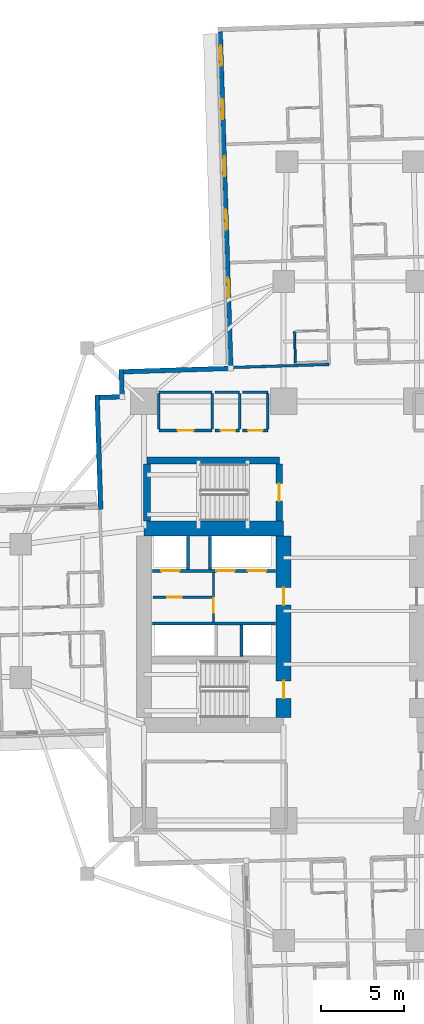
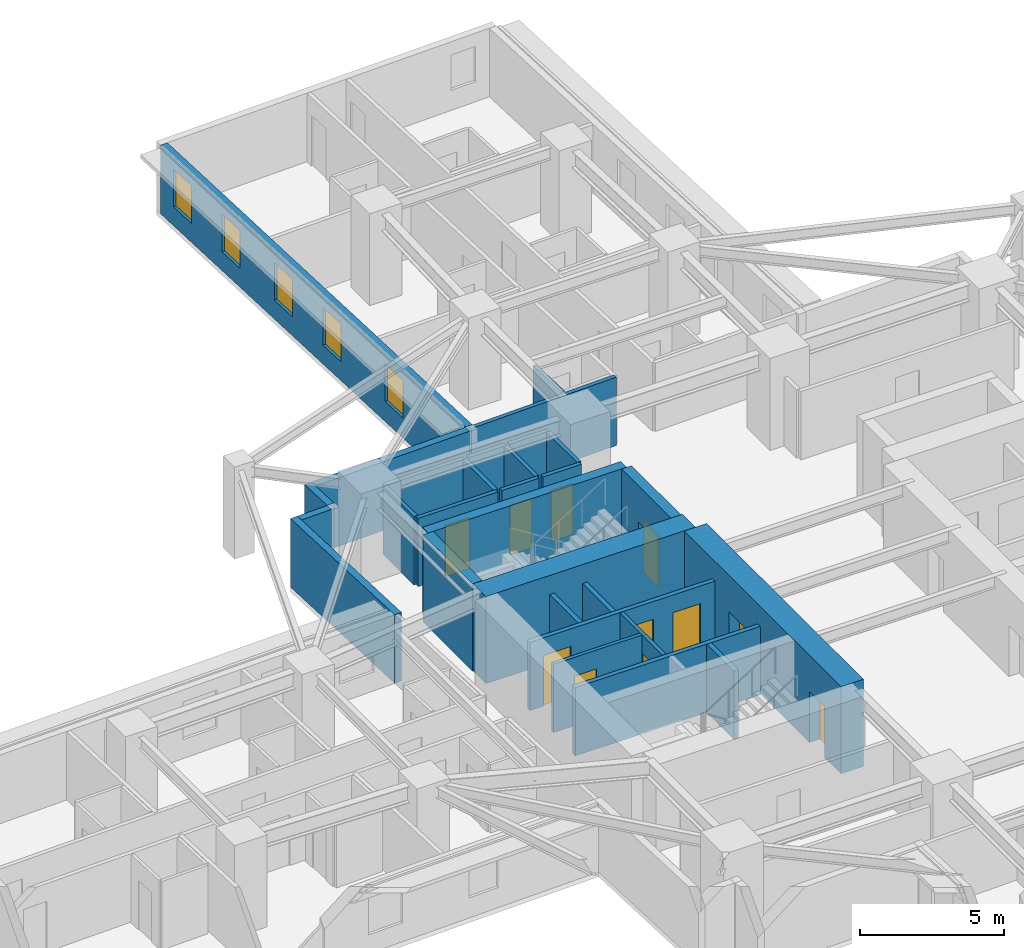
# One storey, part 6 of 15: 29 walls, 11 doors, 5 windows, 16 openings.
"""IFC4 building model written with IfcOpenShell, lengths in metres."""

from ifc_helpers import new_model, si_unit, direction, frame, frame_2d, origin, place, context, subcontext, project, spatial, rectangle, extrude, material, layer, layer_set, type_object, element, fill, save


model = new_model("IFC4")

# Units and contexts
model_context = context("Model", 3, precision=1e-05, world=origin(), true_north=direction((0.0, 1.0)))
body_context = subcontext(model_context, "Body", "Model", "MODEL_VIEW")
ifc_project = project(units=[si_unit("LENGTHUNIT", "METRE"), si_unit("AREAUNIT", "SQUARE_METRE"), si_unit("VOLUMEUNIT", "CUBIC_METRE"), si_unit("PLANEANGLEUNIT", "RADIAN"), si_unit("MASSUNIT", "GRAM", prefix="KILO")], contexts=[model_context])

# Site, building, storey
site_placement = place(None, origin())
site = spatial("IfcSite", under=ifc_project, at=site_placement, CompositionType="ELEMENT")
building_placement = place(site_placement, origin())
building = spatial("IfcBuilding", under=site, at=building_placement, Name="Qingluan Cross Belvedere", CompositionType="ELEMENT")
storey_placement = place(building_placement, frame((0.0, 0.0, 31.5)))
storey = spatial("IfcBuildingStorey", under=building, at=storey_placement, Name="L08", CompositionType="ELEMENT", Elevation=31.5)

# Walls
ifc_material_1 = material(Name="Concrete C50", Category="concrete")
ifc_layer_1 = layer(ifc_material_1, 0.449951171875, Name="CoreShearWall_450")
ifc_layer_set_1 = layer_set([ifc_layer_1], Name="Concrete C50")
wall_type_1 = type_object("IfcWallType", Name="CoreShearWall_450", PredefinedType="SHEAR", material=ifc_layer_set_1)
wall_1_placement = place(storey_placement, frame((-12.219970703125, 9.0400390625, 0.0), z_axis=(0.0, 0.0, 1.0), x_axis=(1.0, 0.0, 0.0)))
element("IfcWall", 1, at=wall_1_placement, inside=storey, type_object=wall_type_1, Name="Stair ST3 structural wall N L08", PredefinedType="SHEAR", context=body_context, shape_type="SweptSolid", body=[
    extrude(rectangle(XDim=7.9599609375, YDim=0.39990234375, at=frame_2d((3.97998046875, 0.0))), origin(), (0.0, 0.0, 1.0), 3.699951171875),
])
wall_2_placement = place(storey_placement, frame((-12.219970703125, 5.405029296875, 0.0), z_axis=(0.0, 0.0, 1.0), x_axis=(0.0, 1.0, 0.0)))
element("IfcWall", 2, at=wall_2_placement, inside=storey, type_object=wall_type_1, Name="Stair ST3 structural wall W L08", PredefinedType="SHEAR", context=body_context, shape_type="SweptSolid", body=[
    extrude(rectangle(XDim=3.429931640625, YDim=0.39990234375, at=frame_2d((1.71484375, 0.0))), origin(), (0.0, 0.0, 1.0), 3.699951171875),
])

# Wall, opening, door
wall_3_placement = place(storey_placement, frame((-4.260009765625, 5.405029296875, 0.0), z_axis=(0.0, 0.0, 1.0), x_axis=(0.0, 1.0, 0.0)))
wall_3 = element("IfcWall", 3, at=wall_3_placement, inside=storey, type_object=wall_type_1, Name="Stair ST3 structural wall E L08", PredefinedType="SHEAR", context=body_context, shape_type="SweptSolid", body=[
    extrude(rectangle(XDim=3.429931640625, YDim=0.39990234375, at=frame_2d((1.71484375, 0.0))), origin(), (0.0, 0.0, 1.0), 3.699951171875),
])
opening_1_placement = place(wall_3_placement, frame((1.195068359375, 0.0, 0.0)))
opening_1 = element("IfcOpeningElement", 4, at=opening_1_placement, cuts=wall_3, Name="Opening FD-B11", PredefinedType="OPENING", context=body_context, shape_type="SweptSolid", body=[
    extrude(rectangle(XDim=1.050048828125, YDim=2.14990234375, at=frame_2d((0.52490234375, 1.074951171875))), frame((0.0, 0.2099609375, 0.0), z_axis=(0.0, -1.0, 0.0), x_axis=(1.0, 0.0, 0.0)), (0.0, 0.0, 1.0), 0.419921875),
])
ifc_material_2 = material(Name="Steel Class B smoke-seal fire door", Category="steel")
door_type_1 = type_object("IfcDoorType", Name="StairLobbyFireDoor_FDB", OperationType="NOTDEFINED", PredefinedType="DOOR", material=ifc_material_2)
door_1_placement = place(opening_1_placement, origin())
door_1 = element("IfcDoor", 5, at=door_1_placement, inside=storey, type_object=door_type_1, Name="Smoke-proof stair ST3 fire door L08", OperationType="SINGLE_SWING_RIGHT", OverallHeight=2.14990234375, OverallWidth=1.050048828125, PredefinedType="DOOR", context=body_context, shape_type="SweptSolid", body=[
    extrude(rectangle(XDim=1.050048828125, YDim=2.14990234375, at=frame_2d((0.52490234375, 1.074951171875))), frame((0.0, 0.02490234375, 0.0), z_axis=(0.0, -1.0, 0.0), x_axis=(1.0, 0.0, 0.0)), (0.0, 0.0, 1.0), 0.050048828125),
])
fill(opening_1, door_1)

# Wall
ifc_material_3 = material(Name="Concrete C70", Category="concrete")
ifc_layer_2 = layer(ifc_material_3, 0.89990234375, Name="CoreShearWall_900")
ifc_layer_set_2 = layer_set([ifc_layer_2], Name="Concrete C70")
wall_type_2 = type_object("IfcWallType", Name="CoreShearWall_900", PredefinedType="SHEAR", material=ifc_layer_set_2)
wall_4_placement = place(storey_placement, frame((-12.39990234375, 4.949951171875, 0.0), z_axis=(0.0, 0.0, 1.0), x_axis=(1.0, 0.0, 0.0)))
element("IfcWall", 6, at=wall_4_placement, inside=storey, type_object=wall_type_2, Name="Split core W shear wall L08-N", PredefinedType="SHEAR", context=body_context, shape_type="SweptSolid", body=[
    extrude(rectangle(XDim=8.39990234375, YDim=0.89990234375, at=frame_2d((4.199951171875, 0.0))), origin(), (0.0, 0.0, 1.0), 3.699951171875),
])

# Wall, openings, doors
wall_5_placement = place(storey_placement, frame((-4.0, -6.39501953125, 0.0), z_axis=(0.0, 0.0, 1.0), x_axis=(0.0, 1.0, 0.0)))
wall_5 = element("IfcWall", 7, at=wall_5_placement, inside=storey, type_object=wall_type_2, Name="Split core W shear wall L08-E", PredefinedType="SHEAR", context=body_context, shape_type="SweptSolid", body=[
    extrude(rectangle(XDim=10.89013671875, YDim=0.89990234375, at=frame_2d((5.445068359375, 0.0))), origin(), (0.0, 0.0, 1.0), 3.699951171875),
])
opening_2_placement = place(wall_5_placement, frame((1.14501953125, 0.0, 0.0)))
opening_2 = element("IfcOpeningElement", 8, at=opening_2_placement, cuts=wall_5, Name="Opening FD-B11", PredefinedType="OPENING", context=body_context, shape_type="SweptSolid", body=[
    extrude(rectangle(XDim=1.050048828125, YDim=2.14990234375, at=frame_2d((0.52490234375, 1.074951171875))), frame((0.0, 0.4599609375, 0.0), z_axis=(0.0, -1.0, 0.0), x_axis=(1.0, 0.0, 0.0)), (0.0, 0.0, 1.0), 0.919921875),
])
opening_3_placement = place(wall_5_placement, frame((6.7451171875, 0.0, 0.0)))
opening_3 = element("IfcOpeningElement", 9, at=opening_3_placement, cuts=wall_5, Name="Opening FD-B11", PredefinedType="OPENING", context=body_context, shape_type="SweptSolid", body=[
    extrude(rectangle(XDim=1.050048828125, YDim=2.14990234375, at=frame_2d((0.52490234375, 1.074951171875))), frame((0.0, 0.4599609375, 0.0), z_axis=(0.0, -1.0, 0.0), x_axis=(1.0, 0.0, 0.0)), (0.0, 0.0, 1.0), 0.919921875),
])
door_2_placement = place(opening_2_placement, origin())
door_2 = element("IfcDoor", 10, at=door_2_placement, inside=storey, type_object=door_type_1, Name="Smoke-proof stair ST1 fire door L08", OperationType="SINGLE_SWING_RIGHT", OverallHeight=2.14990234375, OverallWidth=1.050048828125, PredefinedType="DOOR", context=body_context, shape_type="SweptSolid", body=[
    extrude(rectangle(XDim=1.050048828125, YDim=2.14990234375, at=frame_2d((0.52490234375, 1.074951171875))), frame((0.0, 0.02490234375, 0.0), z_axis=(0.0, -1.0, 0.0), x_axis=(1.0, 0.0, 0.0)), (0.0, 0.0, 1.0), 0.050048828125),
])
fill(opening_2, door_2)
door_3_placement = place(opening_3_placement, origin())
door_3 = element("IfcDoor", 11, at=door_3_placement, inside=storey, type_object=door_type_1, Name="Firefighting lobby West fire door L08", OperationType="SINGLE_SWING_RIGHT", OverallHeight=2.14990234375, OverallWidth=1.050048828125, PredefinedType="DOOR", context=body_context, shape_type="SweptSolid", body=[
    extrude(rectangle(XDim=1.050048828125, YDim=2.14990234375, at=frame_2d((0.52490234375, 1.074951171875))), frame((0.0, 0.02490234375, 0.0), z_axis=(0.0, -1.0, 0.0), x_axis=(1.0, 0.0, 0.0)), (0.0, 0.0, 1.0), 0.050048828125),
])
fill(opening_3, door_3)

# Wall, opening, door
ifc_material_4 = material(Name="Gypsum plasterboard on steel stud acoustic partition", Category="steel")
ifc_layer_3 = layer(ifc_material_4, 0.159912109375, Name="CorridorPartition_160")
ifc_layer_set_3 = layer_set([ifc_layer_3], Name="Gypsum plasterboard on steel stud acoustic partition")
wall_type_3 = type_object("IfcWallType", Name="CorridorPartition_160", PredefinedType="PARTITIONING", material=ifc_layer_set_3)
wall_6_placement = place(storey_placement, frame((-11.85009765625, 0.830078125, 0.0), z_axis=(0.0, 0.0, 1.0), x_axis=(1.0, 0.0, 0.0)))
wall_6 = element("IfcWall", 12, at=wall_6_placement, inside=storey, type_object=wall_type_3, Name="Partition L08:w", PredefinedType="PARTITIONING", context=body_context, shape_type="SweptSolid", body=[
    extrude(rectangle(XDim=3.552001953125, YDim=0.139892578125, at=frame_2d((1.77587890625, 0.0))), origin(), (0.0, 0.0, 1.0), 2.89990234375),
])
opening_4_placement = place(wall_6_placement, frame((0.85009765625, 0.0, 0.0)))
opening_4 = element("IfcOpeningElement", 13, at=opening_4_placement, cuts=wall_6, Name="Opening FD-B10", PredefinedType="OPENING", context=body_context, shape_type="SweptSolid", body=[
    extrude(rectangle(XDim=0.8798828125, YDim=2.10009765625, at=frame_2d((0.43994140625, 1.050048828125))), frame((0.0, 0.079833984375, 0.0), z_axis=(0.0, -1.0, 0.0), x_axis=(1.0, 0.0, 0.0)), (0.0, 0.0, 1.0), 0.159912109375),
])
ifc_material_5 = material(Name="Steel Class B service fire door", Category="steel")
door_type_2 = type_object("IfcDoorType", Name="RiserServiceFireDoor_FDB", OperationType="NOTDEFINED", PredefinedType="DOOR", material=ifc_material_5)
door_4_placement = place(opening_4_placement, origin())
door_4 = element("IfcDoor", 14, at=door_4_placement, inside=storey, type_object=door_type_2, Name="Service closet inner door L08", OperationType="SINGLE_SWING_RIGHT", OverallHeight=2.10009765625, OverallWidth=0.8798828125, PredefinedType="DOOR", context=body_context, shape_type="SweptSolid", body=[
    extrude(rectangle(XDim=0.8798828125, YDim=2.10009765625, at=frame_2d((0.43994140625, 1.050048828125))), frame((0.0, 0.02490234375, 0.0), z_axis=(0.0, -1.0, 0.0), x_axis=(1.0, 0.0, 0.0)), (0.0, 0.0, 1.0), 0.050048828125),
])
fill(opening_4, door_4)

wall_7_placement = place(storey_placement, frame((-11.5, 10.85009765625, 0.0), z_axis=(0.0, 0.0, 1.0), x_axis=(1.0, 0.0, 0.0)))
wall_7 = element("IfcWall", 15, at=wall_7_placement, inside=storey, type_object=wall_type_3, Name="Partition L08:q_nw_occ:S", PredefinedType="PARTITIONING", context=body_context, shape_type="SweptSolid", body=[
    extrude(rectangle(XDim=3.199951171875, YDim=0.159912109375, at=frame_2d((1.60009765625, 0.0))), origin(), (0.0, 0.0, 1.0), 2.89990234375),
])
opening_5_placement = place(wall_7_placement, frame((1.1201171875, 0.0, 0.0)))
opening_5 = element("IfcOpeningElement", 16, at=opening_5_placement, cuts=wall_7, Name="Opening GD-10", PredefinedType="OPENING", context=body_context, shape_type="SweptSolid", body=[
    extrude(rectangle(XDim=0.9599609375, YDim=2.14990234375, at=frame_2d((0.47998046875, 1.074951171875))), frame((0.0, 0.08984375, 0.0), z_axis=(0.0, -1.0, 0.0), x_axis=(1.0, 0.0, 0.0)), (0.0, 0.0, 1.0), 0.179931640625),
])
ifc_material_6 = material(Name="Timber oak fire-rated acoustic guestroom door", Category="wood")
door_type_3 = type_object("IfcDoorType", Name="GuestEntryDoor_FD60", OperationType="NOTDEFINED", PredefinedType="DOOR", material=ifc_material_6)
door_5_placement = place(opening_5_placement, origin())
door_5 = element("IfcDoor", 17, at=door_5_placement, inside=storey, type_object=door_type_3, Name="Northwest corner reading salon L08 door", OperationType="SINGLE_SWING_RIGHT", OverallHeight=2.14990234375, OverallWidth=0.9599609375, PredefinedType="DOOR", context=body_context, shape_type="SweptSolid", body=[
    extrude(rectangle(XDim=0.9599609375, YDim=2.14990234375, at=frame_2d((0.47998046875, 1.074951171875))), frame((0.0, 0.02490234375, 0.0), z_axis=(0.0, -1.0, 0.0), x_axis=(1.0, 0.0, 0.0)), (0.0, 0.0, 1.0), 0.050048828125),
])
fill(opening_5, door_5)

# Walls
wall_8_placement = place(storey_placement, frame((-11.5, 13.14990234375, 0.0), z_axis=(0.0, 0.0, 1.0), x_axis=(1.0, 0.0, 0.0)))
element("IfcWall", 18, at=wall_8_placement, inside=storey, type_object=wall_type_3, Name="Partition L08:q_nw_occ:N", PredefinedType="PARTITIONING", context=body_context, shape_type="SweptSolid", body=[
    extrude(rectangle(XDim=3.199951171875, YDim=0.159912109375, at=frame_2d((1.60009765625, 0.0))), origin(), (0.0, 0.0, 1.0), 2.89990234375),
])
for number, where, z_axis, x_axis, name in (
    (19, (-11.5, 10.93505859375, 0.0), (0.0, 0.0, 1.0), (0.0, 1.0, 0.0), "Partition L08:q_nw_occ:W"),
    (20, (-8.300048828125, 10.93505859375, 0.0), (0.0, 0.0, 1.0), (0.0, 1.0, 0.0), "Partition L08:q_nw_occ:E"),
):
    element("IfcWall", number, at=place(storey_placement, frame(where, z_axis=z_axis, x_axis=x_axis)), inside=storey, type_object=wall_type_3, Name=name, PredefinedType="PARTITIONING", context=body_context, shape_type="SweptSolid", body=[
        extrude(rectangle(XDim=2.1298828125, YDim=0.159912109375, at=frame_2d((1.06494140625, 0.0))), origin(), (0.0, 0.0, 1.0), 2.89990234375),
    ])

# Wall, opening, door
wall_9_placement = place(storey_placement, frame((-8.139892578125, 10.85009765625, 0.0), z_axis=(0.0, 0.0, 1.0), x_axis=(1.0, 0.0, 0.0)))
wall_9 = element("IfcWall", 21, at=wall_9_placement, inside=storey, type_object=wall_type_3, Name="Partition L08:hk_linen:S", PredefinedType="PARTITIONING", context=body_context, shape_type="SweptSolid", body=[
    extrude(rectangle(XDim=1.489990234375, YDim=0.159912109375, at=frame_2d((0.7451171875, 0.0))), origin(), (0.0, 0.0, 1.0), 2.89990234375),
])
opening_6_placement = place(wall_9_placement, frame((0.35009765625, 0.0, 0.0)))
opening_6 = element("IfcOpeningElement", 22, at=opening_6_placement, cuts=wall_9, Name="Opening FD-B10", PredefinedType="OPENING", context=body_context, shape_type="SweptSolid", body=[
    extrude(rectangle(XDim=0.8798828125, YDim=2.10009765625, at=frame_2d((0.43994140625, 1.050048828125))), frame((0.0, 0.08984375, 0.0), z_axis=(0.0, -1.0, 0.0), x_axis=(1.0, 0.0, 0.0)), (0.0, 0.0, 1.0), 0.179931640625),
])
door_6_placement = place(opening_6_placement, origin())
door_6 = element("IfcDoor", 23, at=door_6_placement, inside=storey, type_object=door_type_2, Name="Housekeeping and linen store L08 door", OperationType="SINGLE_SWING_LEFT", OverallHeight=2.10009765625, OverallWidth=0.8798828125, PredefinedType="DOOR", context=body_context, shape_type="SweptSolid", body=[
    extrude(rectangle(XDim=0.8798828125, YDim=2.10009765625, at=frame_2d((0.43994140625, 1.050048828125))), frame((0.0, 0.02490234375, 0.0), z_axis=(0.0, -1.0, 0.0), x_axis=(1.0, 0.0, 0.0)), (0.0, 0.0, 1.0), 0.050048828125),
])
fill(opening_6, door_6)

# Walls
wall_10_placement = place(storey_placement, frame((-8.139892578125, 13.14990234375, 0.0), z_axis=(0.0, 0.0, 1.0), x_axis=(1.0, 0.0, 0.0)))
element("IfcWall", 24, at=wall_10_placement, inside=storey, type_object=wall_type_3, Name="Partition L08:hk_linen:N", PredefinedType="PARTITIONING", context=body_context, shape_type="SweptSolid", body=[
    extrude(rectangle(XDim=1.489990234375, YDim=0.159912109375, at=frame_2d((0.7451171875, 0.0))), origin(), (0.0, 0.0, 1.0), 2.89990234375),
])
wall_11_placement = place(storey_placement, frame((-6.64990234375, 10.93505859375, 0.0), z_axis=(0.0, 0.0, 1.0), x_axis=(0.0, 1.0, 0.0)))
element("IfcWall", 25, at=wall_11_placement, inside=storey, type_object=wall_type_3, Name="Partition L08:hk_linen:E", PredefinedType="PARTITIONING", context=body_context, shape_type="SweptSolid", body=[
    extrude(rectangle(XDim=2.1298828125, YDim=0.159912109375, at=frame_2d((1.06494140625, 0.0))), origin(), (0.0, 0.0, 1.0), 2.89990234375),
])

# Wall, opening, door
wall_12_placement = place(storey_placement, frame((-6.489990234375, 10.85009765625, 0.0), z_axis=(0.0, 0.0, 1.0), x_axis=(1.0, 0.0, 0.0)))
wall_12 = element("IfcWall", 26, at=wall_12_placement, inside=storey, type_object=wall_type_3, Name="Partition L08:floor_acc_wc:S", PredefinedType="PARTITIONING", context=body_context, shape_type="SweptSolid", body=[
    extrude(rectangle(XDim=1.5400390625, YDim=0.159912109375, at=frame_2d((0.77001953125, 0.0))), origin(), (0.0, 0.0, 1.0), 2.89990234375),
])
opening_7_placement = place(wall_12_placement, frame((0.35009765625, 0.0, 0.0)))
opening_7 = element("IfcOpeningElement", 27, at=opening_7_placement, cuts=wall_12, Name="Opening BD-08", PredefinedType="OPENING", context=body_context, shape_type="SweptSolid", body=[
    extrude(rectangle(XDim=0.8798828125, YDim=2.14990234375, at=frame_2d((0.43994140625, 1.074951171875))), frame((0.0, 0.08984375, 0.0), z_axis=(0.0, -1.0, 0.0), x_axis=(1.0, 0.0, 0.0)), (0.0, 0.0, 1.0), 0.179931640625),
])
ifc_material_7 = material(Name="Moisture-sealed timber accessible WC door", Category="wood")
door_type_4 = type_object("IfcDoorType", Name="AccessibleWCDoor_880", OperationType="NOTDEFINED", PredefinedType="DOOR", material=ifc_material_7)
door_7_placement = place(opening_7_placement, origin())
door_7 = element("IfcDoor", 28, at=door_7_placement, inside=storey, type_object=door_type_4, Name="Accessible guest washroom L08 door", OperationType="SINGLE_SWING_RIGHT", OverallHeight=2.14990234375, OverallWidth=0.8798828125, PredefinedType="DOOR", context=body_context, shape_type="SweptSolid", body=[
    extrude(rectangle(XDim=0.8798828125, YDim=2.14990234375, at=frame_2d((0.43994140625, 1.074951171875))), frame((0.0, 0.02490234375, 0.0), z_axis=(0.0, -1.0, 0.0), x_axis=(1.0, 0.0, 0.0)), (0.0, 0.0, 1.0), 0.050048828125),
])
fill(opening_7, door_7)

# Walls
wall_13_placement = place(storey_placement, frame((-6.489990234375, 13.14990234375, 0.0), z_axis=(0.0, 0.0, 1.0), x_axis=(1.0, 0.0, 0.0)))
element("IfcWall", 29, at=wall_13_placement, inside=storey, type_object=wall_type_3, Name="Partition L08:floor_acc_wc:N", PredefinedType="PARTITIONING", context=body_context, shape_type="SweptSolid", body=[
    extrude(rectangle(XDim=1.5400390625, YDim=0.159912109375, at=frame_2d((0.77001953125, 0.0))), origin(), (0.0, 0.0, 1.0), 2.89990234375),
])
wall_14_placement = place(storey_placement, frame((-4.949951171875, 10.93505859375, 0.0), z_axis=(0.0, 0.0, 1.0), x_axis=(0.0, 1.0, 0.0)))
element("IfcWall", 30, at=wall_14_placement, inside=storey, type_object=wall_type_3, Name="Partition L08:floor_acc_wc:E", PredefinedType="PARTITIONING", context=body_context, shape_type="SweptSolid", body=[
    extrude(rectangle(XDim=2.1298828125, YDim=0.159912109375, at=frame_2d((1.06494140625, 0.0))), origin(), (0.0, 0.0, 1.0), 2.89990234375),
])
wall_15_placement = place(storey_placement, frame((-1.26611328125, 14.8173828125, 0.0), z_axis=(0.0, 0.0, 1.0), x_axis=(-0.999507397699, -0.031384103385, 0.0)))
element("IfcWall", 31, at=wall_15_placement, inside=storey, type_object=wall_type_3, Name="Partition L08:N:s1", PredefinedType="PARTITIONING", context=body_context, shape_type="SweptSolid", body=[
    extrude(rectangle(XDim=5.919921875, YDim=0.159912109375, at=frame_2d((2.9599609375, 0.0))), origin(), (0.0, 0.0, 1.0), 2.89990234375),
])
ifc_material_8 = material(Name="Moisture-resistant gypsum board lining")
ifc_layer_4 = layer(ifc_material_8, 0.1201171875, Name="EnsuiteWetPartition_120")
ifc_layer_set_4 = layer_set([ifc_layer_4], Name="Moisture-resistant gypsum board lining")
wall_type_4 = type_object("IfcWallType", Name="EnsuiteWetPartition_120", PredefinedType="PARTITIONING", material=ifc_layer_set_4)
wall_16_placement = place(storey_placement, frame((-3.295166015625, 14.913818359375, 0.0), z_axis=(0.0, 0.0, 1.0), x_axis=(-0.031295563454, 0.999510173889, 0.0)))
element("IfcWall", 32, at=wall_16_placement, inside=storey, type_object=wall_type_4, Name="Partition L08:N:bc1_0", PredefinedType="PARTITIONING", context=body_context, shape_type="SweptSolid", body=[
    extrude(rectangle(XDim=1.880126953125, YDim=0.1201171875, at=frame_2d((0.93994140625, 0.0))), origin(), (0.0, 0.0, 1.0), 2.89990234375),
])

# Wall, openings, windows
ifc_material_9 = material(Name="Precast concrete C45", Category="concrete")
ifc_layer_5 = layer(ifc_material_9, 0.280029296875, Name="PrecastFacadeWall_280")
ifc_layer_set_5 = layer_set([ifc_layer_5], Name="Precast concrete C45")
wall_type_5 = type_object("IfcWallType", Name="PrecastFacadeWall_280", PredefinedType="STANDARD", material=ifc_layer_set_5)
wall_17_placement = place(storey_placement, frame((-7.8173828125, 34.8115234375, 0.0), z_axis=(0.0, 0.0, 1.0), x_axis=(0.031410322165, -0.999506574096, 0.0)))
wall_17 = element("IfcWall", 33, at=wall_17_placement, inside=storey, type_object=wall_type_5, Name="Facade wall L08-NB", PredefinedType="STANDARD", context=body_context, shape_type="SweptSolid", body=[
    extrude(rectangle(XDim=20.10009765625, YDim=0.280029296875, at=frame_2d((10.050048828125, 0.0))), origin(), (0.0, 0.0, 1.0), 2.909912109375),
])
opening_8_placement = place(wall_17_placement, frame((0.85009765625, 0.0, 0.800048828125)))
opening_8 = element("IfcOpeningElement", 34, at=opening_8_placement, cuts=wall_17, Name="Opening W-02", PredefinedType="OPENING", context=body_context, shape_type="SweptSolid", body=[
    extrude(rectangle(XDim=1.199951171875, YDim=1.60009765625, at=frame_2d((0.60009765625, 0.800048828125))), frame((0.0, 0.14990234375, 0.0), z_axis=(0.0, -1.0, 0.0), x_axis=(1.0, 0.0, 0.0)), (0.0, 0.0, 1.0), 0.300048828125),
])
opening_9_placement = place(wall_17_placement, frame((4.050048828125, 0.0, 0.800048828125)))
opening_9 = element("IfcOpeningElement", 35, at=opening_9_placement, cuts=wall_17, Name="Opening W-02", PredefinedType="OPENING", context=body_context, shape_type="SweptSolid", body=[
    extrude(rectangle(XDim=1.199951171875, YDim=1.60009765625, at=frame_2d((0.60009765625, 0.800048828125))), frame((0.0, 0.14990234375, 0.0), z_axis=(0.0, -1.0, 0.0), x_axis=(1.0, 0.0, 0.0)), (0.0, 0.0, 1.0), 0.300048828125),
])
opening_10_placement = place(wall_17_placement, frame((7.5, 0.0, 0.800048828125)))
opening_10 = element("IfcOpeningElement", 36, at=opening_10_placement, cuts=wall_17, Name="Opening W-02", PredefinedType="OPENING", context=body_context, shape_type="SweptSolid", body=[
    extrude(rectangle(XDim=1.199951171875, YDim=1.60009765625, at=frame_2d((0.60009765625, 0.800048828125))), frame((0.0, 0.14990234375, 0.0), z_axis=(0.0, -1.0, 0.0), x_axis=(1.0, 0.0, 0.0)), (0.0, 0.0, 1.0), 0.300048828125),
])
opening_11_placement = place(wall_17_placement, frame((10.699951171875, 0.0, 0.800048828125)))
opening_11 = element("IfcOpeningElement", 37, at=opening_11_placement, cuts=wall_17, Name="Opening W-02", PredefinedType="OPENING", context=body_context, shape_type="SweptSolid", body=[
    extrude(rectangle(XDim=1.199951171875, YDim=1.60009765625, at=frame_2d((0.60009765625, 0.800048828125))), frame((0.0, 0.14990234375, 0.0), z_axis=(0.0, -1.0, 0.0), x_axis=(1.0, 0.0, 0.0)), (0.0, 0.0, 1.0), 0.300048828125),
])
opening_12_placement = place(wall_17_placement, frame((14.799072265625, 0.0, 0.85009765625)))
opening_12 = element("IfcOpeningElement", 38, at=opening_12_placement, cuts=wall_17, Name="Opening W-02", PredefinedType="OPENING", context=body_context, shape_type="SweptSolid", body=[
    extrude(rectangle(XDim=1.199951171875, YDim=1.60009765625, at=frame_2d((0.60009765625, 0.800048828125))), frame((0.0, 0.14990234375, 0.0), z_axis=(0.0, -1.0, 0.0), x_axis=(1.0, 0.0, 0.0)), (0.0, 0.0, 1.0), 0.300048828125),
])
ifc_material_10 = material(Name="Thermally broken triple Low-E glass in aluminium frame", Category="aluminium")
window_type = type_object("IfcWindowType", Name="TriRibbonWin_1200x1600", PartitioningType="SINGLE_PANEL", PredefinedType="WINDOW", material=ifc_material_10)
window_1_placement = place(opening_8_placement, origin())
window_1 = element("IfcWindow", 39, at=window_1_placement, inside=storey, type_object=window_type, Name="Ribbon window L08-NB-1", OverallHeight=1.60009765625, OverallWidth=1.199951171875, PartitioningType="SINGLE_PANEL", PredefinedType="WINDOW", context=body_context, shape_type="SweptSolid", body=[
    extrude(rectangle(XDim=1.199951171875, YDim=1.60009765625, at=frame_2d((0.60009765625, 0.800048828125))), frame((0.0, 0.030029296875, 0.0), z_axis=(0.0, -1.0, 0.0), x_axis=(1.0, 0.0, 0.0)), (0.0, 0.0, 1.0), 0.06005859375),
])
fill(opening_8, window_1)
window_2_placement = place(opening_9_placement, origin())
window_2 = element("IfcWindow", 40, at=window_2_placement, inside=storey, type_object=window_type, Name="Ribbon window L08-NB-2", OverallHeight=1.60009765625, OverallWidth=1.199951171875, PartitioningType="SINGLE_PANEL", PredefinedType="WINDOW", context=body_context, shape_type="SweptSolid", body=[
    extrude(rectangle(XDim=1.199951171875, YDim=1.60009765625, at=frame_2d((0.60009765625, 0.800048828125))), frame((0.0, 0.030029296875, 0.0), z_axis=(0.0, -1.0, 0.0), x_axis=(1.0, 0.0, 0.0)), (0.0, 0.0, 1.0), 0.06005859375),
])
fill(opening_9, window_2)
window_3_placement = place(opening_10_placement, origin())
window_3 = element("IfcWindow", 41, at=window_3_placement, inside=storey, type_object=window_type, Name="Ribbon window L08-NB-3", OverallHeight=1.60009765625, OverallWidth=1.199951171875, PartitioningType="SINGLE_PANEL", PredefinedType="WINDOW", context=body_context, shape_type="SweptSolid", body=[
    extrude(rectangle(XDim=1.199951171875, YDim=1.60009765625, at=frame_2d((0.60009765625, 0.800048828125))), frame((0.0, 0.030029296875, 0.0), z_axis=(0.0, -1.0, 0.0), x_axis=(1.0, 0.0, 0.0)), (0.0, 0.0, 1.0), 0.06005859375),
])
fill(opening_10, window_3)
window_4_placement = place(opening_11_placement, origin())
window_4 = element("IfcWindow", 42, at=window_4_placement, inside=storey, type_object=window_type, Name="Ribbon window L08-NB-4", OverallHeight=1.60009765625, OverallWidth=1.199951171875, PartitioningType="SINGLE_PANEL", PredefinedType="WINDOW", context=body_context, shape_type="SweptSolid", body=[
    extrude(rectangle(XDim=1.199951171875, YDim=1.60009765625, at=frame_2d((0.60009765625, 0.800048828125))), frame((0.0, 0.030029296875, 0.0), z_axis=(0.0, -1.0, 0.0), x_axis=(1.0, 0.0, 0.0)), (0.0, 0.0, 1.0), 0.06005859375),
])
fill(opening_11, window_4)
window_5_placement = place(opening_12_placement, origin())
window_5 = element("IfcWindow", 43, at=window_5_placement, inside=storey, type_object=window_type, Name="Deluxe guest room 0816 daylight window", OverallHeight=1.60009765625, OverallWidth=1.199951171875, PartitioningType="SINGLE_PANEL", PredefinedType="WINDOW", context=body_context, shape_type="SweptSolid", body=[
    extrude(rectangle(XDim=1.199951171875, YDim=1.60009765625, at=frame_2d((0.60009765625, 0.800048828125))), frame((0.0, 0.030029296875, 0.0), z_axis=(0.0, -1.0, 0.0), x_axis=(1.0, 0.0, 0.0)), (0.0, 0.0, 1.0), 0.06005859375),
])
fill(opening_12, window_5)

# Walls
wall_18_placement = place(storey_placement, frame((-14.99951171875, 6.11181640625, 0.0), z_axis=(0.0, 0.0, 1.0), x_axis=(-0.031389189386, 0.999507237988, 0.0)))
element("IfcWall", 44, at=wall_18_placement, inside=storey, type_object=wall_type_5, Name="Corner wall L08-NW1", PredefinedType="STANDARD", context=body_context, shape_type="SweptSolid", body=[
    extrude(rectangle(XDim=6.860107421875, YDim=0.280029296875, at=frame_2d((3.43017578125, 0.0))), origin(), (0.0, 0.0, 1.0), 2.909912109375),
])
wall_19_placement = place(storey_placement, frame((-15.070556640625, 12.8330078125, 0.0), z_axis=(0.0, 0.0, 1.0), x_axis=(0.999506398264, 0.031415916822, 0.0)))
element("IfcWall", 45, at=wall_19_placement, inside=storey, type_object=wall_type_5, Name="Corner wall L08-NW2", PredefinedType="STANDARD", context=body_context, shape_type="SweptSolid", body=[
    extrude(rectangle(XDim=1.219970703125, YDim=0.280029296875, at=frame_2d((0.60986328125, 0.0))), origin(), (0.0, 0.0, 1.0), 2.909912109375),
])
wall_20_placement = place(storey_placement, frame((-13.715576171875, 13.015625, 0.0), z_axis=(0.0, 0.0, 1.0), x_axis=(-0.031412596484, 0.999506502621, 0.0)))
element("IfcWall", 46, at=wall_20_placement, inside=storey, type_object=wall_type_5, Name="Corner wall L08-NW3", PredefinedType="STANDARD", context=body_context, shape_type="SweptSolid", body=[
    extrude(rectangle(XDim=1.5, YDim=0.280029296875, at=frame_2d((0.75, 0.0))), origin(), (0.0, 0.0, 1.0), 2.909912109375),
])
wall_21_placement = place(storey_placement, frame((-13.618408203125, 14.37939453125, 0.0), z_axis=(0.0, 0.0, 1.0), x_axis=(0.999507224741, 0.031389611199, 0.0)))
element("IfcWall", 47, at=wall_21_placement, inside=storey, type_object=wall_type_5, Name="Corner wall L08-NW4", PredefinedType="STANDARD", context=body_context, shape_type="SweptSolid", body=[
    extrude(rectangle(XDim=6.300048828125, YDim=0.280029296875, at=frame_2d((3.14990234375, 0.0))), origin(), (0.0, 0.0, 1.0), 2.909912109375),
])

# Wall, openings, doors
ifc_material_11 = material(Name="Concrete C40", Category="concrete")
ifc_layer_6 = layer(ifc_material_11, 0.219970703125, Name="ShaftEnclosureWall_250")
ifc_layer_set_6 = layer_set([ifc_layer_6], Name="Concrete C40")
wall_type_6 = type_object("IfcWallType", Name="ShaftEnclosureWall_250", PredefinedType="SOLIDWALL", material=ifc_layer_set_6)
wall_22_placement = place(storey_placement, frame((-11.89990234375, 2.409912109375, 0.0), z_axis=(0.0, 0.0, 1.0), x_axis=(1.0, 0.0, 0.0)))
wall_22 = element("IfcWall", 48, at=wall_22_placement, inside=storey, type_object=wall_type_6, Name="Core-W north hoistway wall L08", PredefinedType="SOLIDWALL", context=body_context, shape_type="SweptSolid", body=[
    extrude(rectangle(XDim=7.419921875, YDim=0.179931640625, at=frame_2d((3.7099609375, 0.0))), origin(), (0.0, 0.0, 1.0), 2.89990234375),
])
opening_13_placement = place(wall_22_placement, frame((0.550048828125, 0.0, 0.0)))
opening_13 = element("IfcOpeningElement", 49, at=opening_13_placement, cuts=wall_22, Name="Opening LD-11", PredefinedType="OPENING", context=body_context, shape_type="SweptSolid", body=[
    extrude(rectangle(XDim=1.10009765625, YDim=2.14990234375, at=frame_2d((0.550048828125, 1.074951171875))), frame((0.0, 0.099853515625, 0.0), z_axis=(0.0, -1.0, 0.0), x_axis=(1.0, 0.0, 0.0)), (0.0, 0.0, 1.0), 0.199951171875),
])
opening_14_placement = place(wall_22_placement, frame((3.85009765625, 0.0, 0.0)))
opening_14 = element("IfcOpeningElement", 50, at=opening_14_placement, cuts=wall_22, Name="Opening LD-11", PredefinedType="OPENING", context=body_context, shape_type="SweptSolid", body=[
    extrude(rectangle(XDim=1.10009765625, YDim=2.14990234375, at=frame_2d((0.550048828125, 1.074951171875))), frame((0.0, 0.099853515625, 0.0), z_axis=(0.0, -1.0, 0.0), x_axis=(1.0, 0.0, 0.0)), (0.0, 0.0, 1.0), 0.199951171875),
])
opening_15_placement = place(wall_22_placement, frame((5.75, 0.0, 0.0)))
opening_15 = element("IfcOpeningElement", 51, at=opening_15_placement, cuts=wall_22, Name="Opening LD-11", PredefinedType="OPENING", context=body_context, shape_type="SweptSolid", body=[
    extrude(rectangle(XDim=1.10009765625, YDim=2.14990234375, at=frame_2d((0.550048828125, 1.074951171875))), frame((0.0, 0.099853515625, 0.0), z_axis=(0.0, -1.0, 0.0), x_axis=(1.0, 0.0, 0.0)), (0.0, 0.0, 1.0), 0.199951171875),
])
ifc_material_12 = material(Name="Brushed stainless steel centre-opening lift landing door", Category="steel")
door_type_5 = type_object("IfcDoorType", Name="LiftLandingSlidingDoor_1100", OperationType="DOUBLE_DOOR_SLIDING", PredefinedType="DOOR", material=ifc_material_12)
door_8_placement = place(opening_13_placement, origin())
door_8 = element("IfcDoor", 52, at=door_8_placement, inside=storey, type_object=door_type_5, Name="Lift landing sliding door FL1 L08", OperationType="DOUBLE_DOOR_SLIDING", OverallHeight=2.14990234375, OverallWidth=1.10009765625, PredefinedType="DOOR", context=body_context, shape_type="SweptSolid", body=[
    extrude(rectangle(XDim=1.10009765625, YDim=2.14990234375, at=frame_2d((0.550048828125, 1.074951171875))), frame((0.0, 0.02490234375, 0.0), z_axis=(0.0, -1.0, 0.0), x_axis=(1.0, 0.0, 0.0)), (0.0, 0.0, 1.0), 0.050048828125),
])
fill(opening_13, door_8)
door_9_placement = place(opening_14_placement, origin())
door_9 = element("IfcDoor", 53, at=door_9_placement, inside=storey, type_object=door_type_5, Name="Lift landing sliding door LP1 L08", OperationType="DOUBLE_DOOR_SLIDING", OverallHeight=2.14990234375, OverallWidth=1.10009765625, PredefinedType="DOOR", context=body_context, shape_type="SweptSolid", body=[
    extrude(rectangle(XDim=1.10009765625, YDim=2.14990234375, at=frame_2d((0.550048828125, 1.074951171875))), frame((0.0, 0.02490234375, 0.0), z_axis=(0.0, -1.0, 0.0), x_axis=(1.0, 0.0, 0.0)), (0.0, 0.0, 1.0), 0.050048828125),
])
fill(opening_14, door_9)
door_10_placement = place(opening_15_placement, origin())
door_10 = element("IfcDoor", 54, at=door_10_placement, inside=storey, type_object=door_type_5, Name="Lift landing sliding door LP2 L08", OperationType="DOUBLE_DOOR_SLIDING", OverallHeight=2.14990234375, OverallWidth=1.10009765625, PredefinedType="DOOR", context=body_context, shape_type="SweptSolid", body=[
    extrude(rectangle(XDim=1.10009765625, YDim=2.14990234375, at=frame_2d((0.550048828125, 1.074951171875))), frame((0.0, 0.02490234375, 0.0), z_axis=(0.0, -1.0, 0.0), x_axis=(1.0, 0.0, 0.0)), (0.0, 0.0, 1.0), 0.050048828125),
])
fill(opening_15, door_10)

# Walls
wall_23_placement = place(storey_placement, frame((-11.89990234375, -0.75, 0.0), z_axis=(0.0, 0.0, 1.0), x_axis=(1.0, 0.0, 0.0)))
element("IfcWall", 55, at=wall_23_placement, inside=storey, type_object=wall_type_6, Name="Core-W mid hoistway wall L08", PredefinedType="SOLIDWALL", context=body_context, shape_type="SweptSolid", body=[
    extrude(rectangle(XDim=7.419921875, YDim=0.179931640625, at=frame_2d((3.7099609375, 0.0))), origin(), (0.0, 0.0, 1.0), 2.89990234375),
])
for number, where, z_axis, x_axis, name in (
    (56, (-9.760009765625, 2.5, 0.0), (0.0, 0.0, 1.0), (0.0, 1.0, 0.0), "Hoistway enclosure divider FL1E L08"),
    (57, (-8.43994140625, 2.5, 0.0), (0.0, 0.0, 1.0), (0.0, 1.0, 0.0), "Hoistway enclosure divider LP1W L08"),
):
    element("IfcWall", number, at=place(storey_placement, frame(where, z_axis=z_axis, x_axis=x_axis)), inside=storey, type_object=wall_type_6, Name=name, PredefinedType="SOLIDWALL", context=body_context, shape_type="SweptSolid", body=[
        extrude(rectangle(XDim=1.989990234375, YDim=0.179931640625, at=frame_2d((0.9951171875, 0.0))), origin(), (0.0, 0.0, 1.0), 2.89990234375),
    ])
wall_24_placement = place(storey_placement, frame((-6.5400390625, -2.72998046875, 0.0), z_axis=(0.0, 0.0, 1.0), x_axis=(0.0, 1.0, 0.0)))
element("IfcWall", 58, at=wall_24_placement, inside=storey, type_object=wall_type_6, Name="Hoistway enclosure divider LP8W L08", PredefinedType="SOLIDWALL", context=body_context, shape_type="SweptSolid", body=[
    extrude(rectangle(XDim=1.889892578125, YDim=0.179931640625, at=frame_2d((0.94482421875, 0.0))), origin(), (0.0, 0.0, 1.0), 2.89990234375),
])

# Wall, opening, door
wall_25_placement = place(storey_placement, frame((-8.219970703125, -0.64990234375, 0.0), z_axis=(0.0, 0.0, 1.0), x_axis=(0.0, 1.0, 0.0)))
wall_25 = element("IfcWall", 59, at=wall_25_placement, inside=storey, type_object=wall_type_6, Name="Core-W service corridor wall L08", PredefinedType="SOLIDWALL", context=body_context, shape_type="SweptSolid", body=[
    extrude(rectangle(XDim=2.9599609375, YDim=0.139892578125, at=frame_2d((1.47998046875, 0.0))), origin(), (0.0, 0.0, 1.0), 2.89990234375),
])
opening_16_placement = place(wall_25_placement, frame((0.550048828125, 0.0, 0.0)))
opening_16 = element("IfcOpeningElement", 60, at=opening_16_placement, cuts=wall_25, Name="Opening FD-B10", PredefinedType="OPENING", context=body_context, shape_type="SweptSolid", body=[
    extrude(rectangle(XDim=0.8798828125, YDim=2.10009765625, at=frame_2d((0.43994140625, 1.050048828125))), frame((0.0, 0.079833984375, 0.0), z_axis=(0.0, -1.0, 0.0), x_axis=(1.0, 0.0, 0.0)), (0.0, 0.0, 1.0), 0.159912109375),
])
door_11_placement = place(opening_16_placement, origin())
door_11 = element("IfcDoor", 61, at=door_11_placement, inside=storey, type_object=door_type_2, Name="Core-W service room door L08", OperationType="SINGLE_SWING_RIGHT", OverallHeight=2.10009765625, OverallWidth=0.8798828125, PredefinedType="DOOR", context=body_context, shape_type="SweptSolid", body=[
    extrude(rectangle(XDim=0.8798828125, YDim=2.10009765625, at=frame_2d((0.43994140625, 1.050048828125))), frame((0.0, 0.02490234375, 0.0), z_axis=(0.0, -1.0, 0.0), x_axis=(1.0, 0.0, 0.0)), (0.0, 0.0, 1.0), 0.050048828125),
])
fill(opening_16, door_11)

save(model, "model.ifc")
